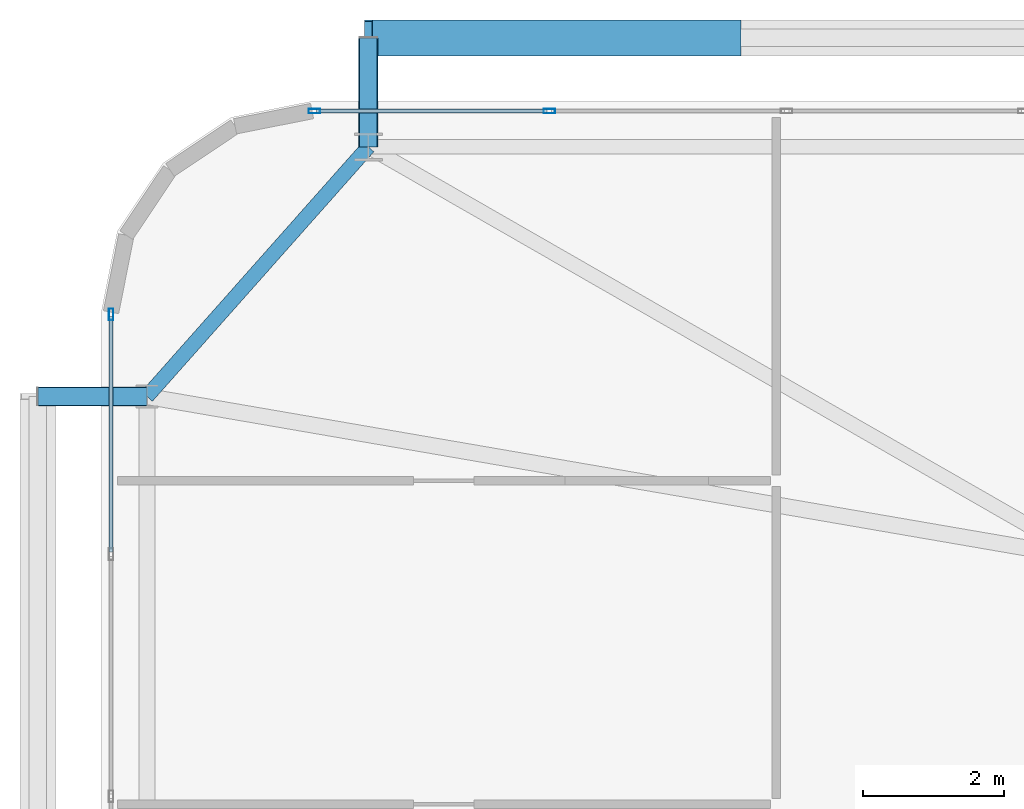
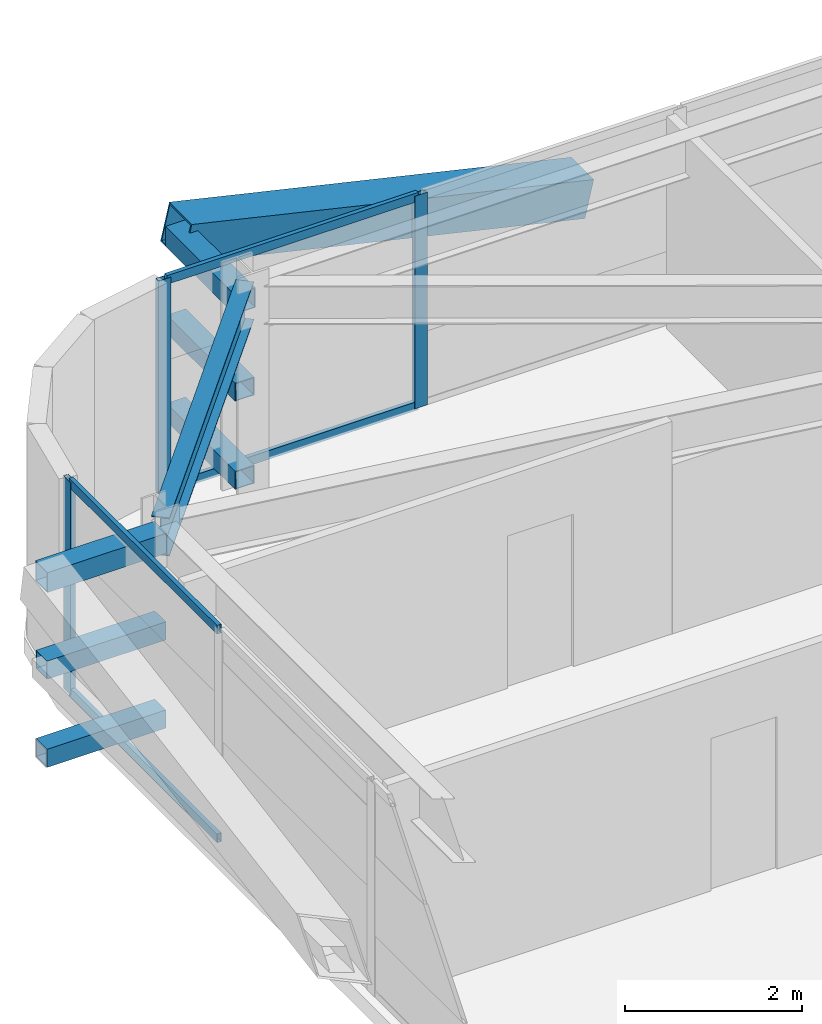
# One storey, part 33 of 59: 14 members, 1 beam, 2 elements without a shape of their own.
"""IFC4 building model written with IfcOpenShell, lengths in metres."""

from ifc_helpers import new_model, si_unit, direction, frame, origin, origin_2d, place, context, subcontext, project, spatial, hollow_rectangle, i_section, extrude, source, transform, mapped, material, layer, layer_set, material_profile, profile_set, type_object, element, aggregate, save


model = new_model("IFC4")

# Units and contexts
model_context = context("Model", 3, precision=1e-05, world=origin(), true_north=direction((0.0, 1.0)))
body_context = subcontext(model_context, "Body", "Model", "MODEL_VIEW")
ifc_project = project(units=[si_unit("LENGTHUNIT", "METRE"), si_unit("AREAUNIT", "SQUARE_METRE"), si_unit("VOLUMEUNIT", "CUBIC_METRE"), si_unit("PLANEANGLEUNIT", "RADIAN"), si_unit("MASSUNIT", "GRAM", prefix="KILO")], contexts=[model_context])

# Site, building, storey
site_placement = place(None, origin())
site = spatial("IfcSite", under=ifc_project, at=site_placement, CompositionType="ELEMENT")
building_placement = place(site_placement, origin())
building = spatial("IfcBuilding", under=site, at=building_placement, Name="Taldren Reach Tower", CompositionType="ELEMENT")
storey_placement = place(building_placement, frame((0.0, 0.0, 19.949951171875)))
storey = spatial("IfcBuildingStorey", under=building, at=storey_placement, Name="L05", CompositionType="ELEMENT", Elevation=19.949951171875)

# Beam
ifc_material_1 = material(Name="Steel Gr 350 (350PLUS)", Category="steel")
ifc_material_profile_1 = material_profile(ifc_material_1, i_section(OverallWidth=0.208984375, OverallDepth=0.528076171875, WebThickness=0.009521484375, FlangeThickness=0.01318359375, at=origin_2d()), Name="530UB82.0")
ifc_profile_set_1 = profile_set([ifc_material_profile_1], Name="Steel Gr 350 (350PLUS)")
beam_type = type_object("IfcBeamType", Name="SP-UB530B", PredefinedType="SPANDREL", material=ifc_profile_set_1)
shared_shape_1 = source(origin(), body_context, "Body", "SweptSolid", [
    extrude(i_section(OverallWidth=0.208984375, OverallDepth=0.528076171875, WebThickness=0.009521484375, FlangeThickness=0.01318359375, at=origin_2d()), origin(), (0.0, 0.0, 1.0), 4.74609375),
])
beam_placement = place(storey_placement, frame((8.800048828125, 37.85009765625, 2.666015625), z_axis=(-0.663721843779, -0.747979487747, 0.0), x_axis=(0.747979487747, -0.663721843779, 0.0)))
element("IfcBeam", 1, at=beam_placement, inside=storey, type_object=beam_type, Name="Perimeter spandrel B1 N1-W3 L05", PredefinedType="SPANDREL", context=body_context, shape_type="MappedRepresentation", body=[
    mapped(shared_shape_1, transform((0.0, 0.0, 0.0), scale=1.0)),
])

# Members
ifc_material_2 = material(Name="Steel Gr 450 (C450L0)", Category="steel")
ifc_material_profile_2 = material_profile(ifc_material_2, hollow_rectangle(XDim=0.27490234375, YDim=0.27490234375, WallThickness=0.00927734375, at=origin_2d()), Name="275x275x9.3SHS")
ifc_profile_set_2 = profile_set([ifc_material_profile_2], Name="Steel Gr 450 (C450L0)")
member_type_1 = type_object("IfcMemberType", Name="MB-TIE273", PredefinedType="STRUT", material=ifc_profile_set_2)
shared_shape_2 = source(origin(), body_context, "Body", "SweptSolid", [
    extrude(hollow_rectangle(XDim=0.27490234375, YDim=0.27490234375, WallThickness=0.00927734375, at=origin_2d()), origin(), (0.0, 0.0, 1.0), 1.5498046875),
])
for number, where, z_axis, x_axis, name in (
    (2, (8.800048828125, 37.85009765625, 2.650146484375), (0.0, 1.0, 0.0), (-1.0, 0.0, 0.0), "Exoskeleton diaphragm tie strut B1-N1 L05"),
    (3, (5.64990234375, 34.300048828125, 2.650146484375), (-1.0, 0.0, 0.0), (0.0, -1.0, 0.0), "Exoskeleton diaphragm tie strut B1-W3 L05"),
):
    element("IfcMember", number, at=place(storey_placement, frame(where, z_axis=z_axis, x_axis=x_axis)), inside=storey, type_object=member_type_1, Name=name, PredefinedType="STRUT", context=body_context, shape_type="MappedRepresentation", body=[
        mapped(shared_shape_2, transform((0.0, 0.0, 0.0), scale=1.0)),
    ])
ifc_material_profile_3 = material_profile(ifc_material_2, hollow_rectangle(XDim=0.510009765625, YDim=0.510009765625, WallThickness=0.02001953125, at=origin_2d()), Name="510x510x20.0SHS")
ifc_profile_set_3 = profile_set([ifc_material_profile_3], Name="Steel Gr 450 (C450L0)")
member_type_2 = type_object("IfcMemberType", Name="MB-EXO508", PredefinedType="BRACE", material=ifc_profile_set_3)
shared_shape_3 = source(origin(), body_context, "Body", "SweptSolid", [
    extrude(hollow_rectangle(XDim=0.510009765625, YDim=0.510009765625, WallThickness=0.02001953125, at=origin_2d()), origin(), (0.0, 0.0, 1.0), 5.37890625),
])
member_1_placement = place(storey_placement, frame((14.0400390625, 39.39990234375, 1.43505859375), z_axis=(-0.97415197996, 0.0, 0.225893603143), x_axis=(0.0, -1.0, 0.0)))
element("IfcMember", 4, at=member_1_placement, inside=storey, type_object=member_type_2, Name="Exoskeleton Diagrid Brace B1-N1 L05", PredefinedType="BRACE", context=body_context, shape_type="MappedRepresentation", body=[
    mapped(shared_shape_3, transform((0.0, 0.0, 0.0), scale=1.0)),
])
ifc_material_3 = material(Name="Steel Gr 350 (C350L0)", Category="steel")
ifc_material_profile_4 = material_profile(ifc_material_3, hollow_rectangle(XDim=0.25, YDim=0.25, WallThickness=0.010009765625, at=origin_2d()), Name="250x250x10.0SHS")
ifc_profile_set_4 = profile_set([ifc_material_profile_4], Name="Steel Gr 350 (C350L0)")
member_type_3 = type_object("IfcMemberType", Name="MB-POST250", PredefinedType="POST", material=ifc_profile_set_4)
shared_shape_4 = source(origin(), body_context, "Body", "SweptSolid", [
    extrude(hollow_rectangle(XDim=0.25, YDim=0.25, WallThickness=0.010009765625, at=origin_2d()), origin(), (0.0, 0.0, 1.0), 1.5498046875),
])
for number, where, z_axis, x_axis, name in (
    (5, (8.800048828125, 37.85009765625, 0.219970703125), (0.0, 1.0, 0.0), (-1.0, 0.0, 0.0), "Exoskeleton base diaphragm tie strut B1-N1 L05"),
    (6, (5.64990234375, 34.300048828125, 0.219970703125), (-1.0, 0.0, 0.0), (0.0, -1.0, 0.0), "Exoskeleton base diaphragm tie strut B1-W3 L05"),
    (7, (8.800048828125, 37.85009765625, 1.43505859375), (0.0, 1.0, 0.0), (-1.0, 0.0, 0.0), "Exoskeleton mid-tier diaphragm tie B1-N1 L05"),
    (8, (5.64990234375, 34.300048828125, 1.43505859375), (-1.0, 0.0, 0.0), (0.0, -1.0, 0.0), "Exoskeleton mid-tier diaphragm tie B1-W3 L05"),
):
    element("IfcMember", number, at=place(storey_placement, frame(where, z_axis=z_axis, x_axis=x_axis)), inside=storey, type_object=member_type_3, Name=name, PredefinedType="POST", context=body_context, shape_type="MappedRepresentation", body=[
        mapped(shared_shape_4, transform((0.0, 0.0, 0.0), scale=1.0)),
    ])

# Curtain wall, members
ifc_material_4 = material(Name="Aluminium and Low-E Glass Unitised System", Category="aluminium")
ifc_layer = layer(ifc_material_4, 0.159912109375)
ifc_layer_set = layer_set([ifc_layer], Name="Aluminium and Low-E Glass Unitised System")
curtain_wall_type = type_object("IfcCurtainWallType", Name="CW-SYS-2", PredefinedType="NOTDEFINED", material=ifc_layer_set)
curtain_wall_1_placement = place(storey_placement, origin())
curtain_wall_1 = element("IfcCurtainWall", 9, at=curtain_wall_1_placement, inside=storey, type_object=curtain_wall_type, Name="Unitised curtain wall CW-L05-N", PredefinedType="NOTDEFINED")
ifc_material_5 = material(Name="Anodised Aluminium 6063-T6", Category="aluminium")
ifc_material_profile_5 = material_profile(ifc_material_5, hollow_rectangle(XDim=0.06494140625, YDim=0.1650390625, WallThickness=0.00390625, at=origin_2d()), Name="ALU-165x65x4RHS")
ifc_profile_set_5 = profile_set([ifc_material_profile_5], Name="Anodised Aluminium 6063-T6")
member_type_4 = type_object("IfcMemberType", Name="CW-MUL-165", PredefinedType="MULLION", material=ifc_profile_set_5)
shared_shape_5 = source(origin(), body_context, "Body", "SweptSolid", [
    extrude(hollow_rectangle(XDim=0.06494140625, YDim=0.1650390625, WallThickness=0.00390625, at=origin_2d()), origin(), (0.0, 0.0, 1.0), 2.929931640625),
])
member_2_placement = place(storey_placement, frame((11.375, 38.360107421875, 0.0), z_axis=(0.0, 0.0, 1.0), x_axis=(0.0, -1.0, 0.0)))
member_2 = element("IfcMember", 10, at=member_2_placement, type_object=member_type_4, Name="CW-2 mullion 16", PredefinedType="MULLION", context=body_context, shape_type="MappedRepresentation", body=[
    mapped(shared_shape_5, transform((0.0, 0.0, 0.0), scale=1.0)),
])
member_3_placement = place(storey_placement, frame((8.032470703125, 38.360107421875, 0.0), z_axis=(0.0, 0.0, 1.0), x_axis=(0.0, -1.0, 0.0)))
member_3 = element("IfcMember", 11, at=member_3_placement, type_object=member_type_4, Name="CW-2 mullion 17", PredefinedType="MULLION", context=body_context, shape_type="MappedRepresentation", body=[
    mapped(shared_shape_5, transform((0.0, 0.0, 0.0), scale=1.0)),
])

# Curtain wall, member
curtain_wall_2_placement = place(storey_placement, origin())
curtain_wall_2 = element("IfcCurtainWall", 12, at=curtain_wall_2_placement, inside=storey, type_object=curtain_wall_type, Name="Unitised curtain wall CW-L05-W", PredefinedType="NOTDEFINED")
member_4_placement = place(storey_placement, frame((5.139892578125, 35.467529296875, 0.0), z_axis=(0.0, 0.0, 1.0), x_axis=(1.0, 0.0, 0.0)))
member_4 = element("IfcMember", 13, at=member_4_placement, type_object=member_type_4, Name="CW-2 mullion 1", PredefinedType="MULLION", context=body_context, shape_type="MappedRepresentation", body=[
    mapped(shared_shape_5, transform((0.0, 0.0, 0.0), scale=1.0)),
])

# Member
ifc_material_profile_6 = material_profile(ifc_material_5, hollow_rectangle(XDim=0.054931640625, YDim=0.1201171875, WallThickness=0.0029296875, at=origin_2d()), Name="ALU-120x55x3RHS")
ifc_profile_set_6 = profile_set([ifc_material_profile_6], Name="Anodised Aluminium 6063-T6")
member_type_5 = type_object("IfcMemberType", Name="CW-TRN-135", PredefinedType="USERDEFINED", material=ifc_profile_set_6)
shared_shape_6 = source(origin(), body_context, "Body", "SweptSolid", [
    extrude(hollow_rectangle(XDim=0.054931640625, YDim=0.1201171875, WallThickness=0.0029296875, at=origin_2d()), origin(), (0.0, 0.0, 1.0), 3.277587890625),
])
member_5_placement = place(storey_placement, frame((11.342529296875, 38.360107421875, 0.027587890625), z_axis=(-1.0, 0.0, 0.0), x_axis=(0.0, -1.0, 0.0)))
member_5 = element("IfcMember", 14, at=member_5_placement, type_object=member_type_5, Name="CW-2 transom 16.1", ObjectType="TRANSOM", PredefinedType="USERDEFINED", context=body_context, shape_type="MappedRepresentation", body=[
    mapped(shared_shape_6, transform((0.0, 0.0, 0.0), scale=1.0)),
])

member_6_placement = place(storey_placement, frame((11.342529296875, 38.360107421875, 2.902587890625), z_axis=(-1.0, 0.0, 0.0), x_axis=(0.0, -1.0, 0.0)))
member_6 = element("IfcMember", 15, at=member_6_placement, type_object=member_type_5, Name="CW-2 transom 16.2", ObjectType="TRANSOM", PredefinedType="USERDEFINED", context=body_context, shape_type="MappedRepresentation", body=[
    mapped(shared_shape_6, transform((0.0, 0.0, 0.0), scale=1.0)),
])

aggregate(curtain_wall_1, [member_2, member_3, member_5, member_6])

shared_shape_7 = source(origin(), body_context, "Body", "SweptSolid", [
    extrude(hollow_rectangle(XDim=0.054931640625, YDim=0.1201171875, WallThickness=0.0029296875, at=origin_2d()), origin(), (0.0, 0.0, 1.0), 3.346923828125),
])
member_7_placement = place(storey_placement, frame((5.139892578125, 35.43505859375, 0.027587890625), z_axis=(0.0, -1.0, 0.0), x_axis=(1.0, 0.0, 0.0)))
member_7 = element("IfcMember", 16, at=member_7_placement, type_object=member_type_5, Name="CW-2 transom 1.1", ObjectType="TRANSOM", PredefinedType="USERDEFINED", context=body_context, shape_type="MappedRepresentation", body=[
    mapped(shared_shape_7, transform((0.0, 0.0, 0.0), scale=1.0)),
])

member_8_placement = place(storey_placement, frame((5.139892578125, 35.43505859375, 2.902587890625), z_axis=(0.0, -1.0, 0.0), x_axis=(1.0, 0.0, 0.0)))
member_8 = element("IfcMember", 17, at=member_8_placement, type_object=member_type_5, Name="CW-2 transom 1.2", ObjectType="TRANSOM", PredefinedType="USERDEFINED", context=body_context, shape_type="MappedRepresentation", body=[
    mapped(shared_shape_7, transform((0.0, 0.0, 0.0), scale=1.0)),
])

aggregate(curtain_wall_2, [member_4, member_7, member_8])

save(model, "model.ifc")
